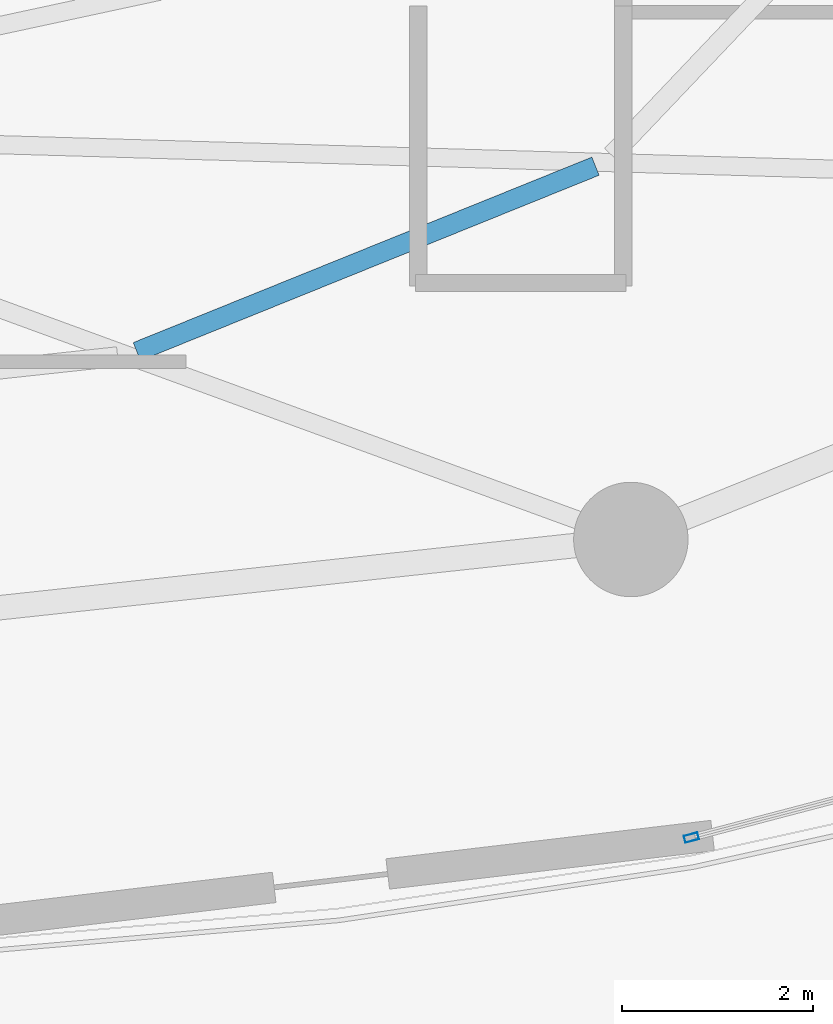
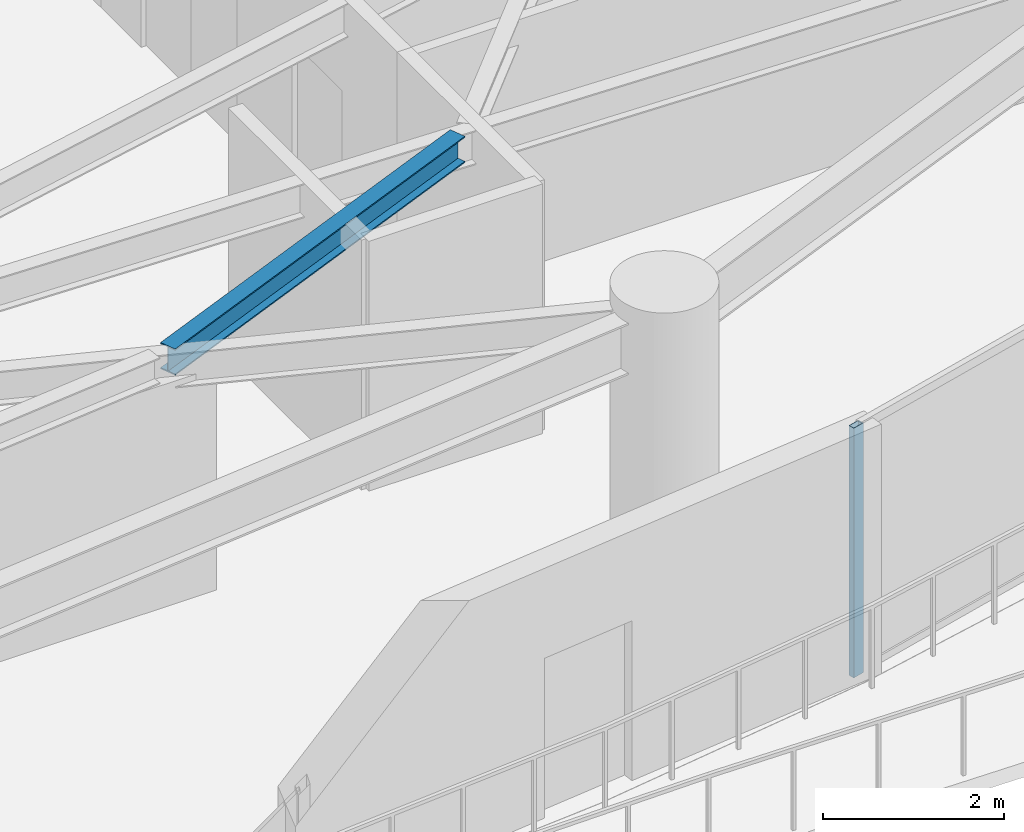
# One storey, part 12 of 34: 1 beam, 1 member, 1 element without a shape of its own.
"""IFC4 building model written with IfcOpenShell, lengths in metres."""

from ifc_helpers import new_model, si_unit, direction, frame, origin, origin_2d, place, context, subcontext, project, spatial, hollow_rectangle, i_section, extrude, material, layer, layer_set, material_profile, profile_set, type_object, element, aggregate, save


model = new_model("IFC4")

# Units and contexts
model_context = context("Model", 3, precision=1e-05, world=origin(), true_north=direction((0.0, 1.0)))
body_context = subcontext(model_context, "Body", "Model", "MODEL_VIEW")
ifc_project = project(units=[si_unit("LENGTHUNIT", "METRE"), si_unit("AREAUNIT", "SQUARE_METRE"), si_unit("VOLUMEUNIT", "CUBIC_METRE"), si_unit("PLANEANGLEUNIT", "RADIAN"), si_unit("MASSUNIT", "GRAM", prefix="KILO")], contexts=[model_context])

# Site, building, storey
site_placement = place(None, origin())
site = spatial("IfcSite", under=ifc_project, at=site_placement, CompositionType="ELEMENT")
building_placement = place(site_placement, origin())
building = spatial("IfcBuilding", under=site, at=building_placement, Name="Kazevale Care Tower and Concert Hall", CompositionType="ELEMENT")
storey_placement = place(building_placement, frame((0.0, 0.0, 171.0)))
storey = spatial("IfcBuildingStorey", under=building, at=storey_placement, Name="L45", CompositionType="ELEMENT", Elevation=171.0)

# Curtain wall, member
ifc_material_1 = material(Name="Aluminium 6063-T6 and Low-E Glass", Category="aluminium")
ifc_layer = layer(ifc_material_1, 0.179931640625)
ifc_layer_set = layer_set([ifc_layer], Name="Aluminium 6063-T6 and Low-E Glass")
curtain_wall_type = type_object("IfcCurtainWallType", Name="Sheltered Concave Balcony Curtain Wall CW-5", PredefinedType="NOTDEFINED", material=ifc_layer_set)
curtain_wall_placement = place(storey_placement, origin())
curtain_wall = element("IfcCurtainWall", 1, at=curtain_wall_placement, inside=storey, type_object=curtain_wall_type, Name="cw:L45:f04", PredefinedType="NOTDEFINED")
ifc_material_2 = material(Name="Aluminium 6063-T6", Category="aluminium")
ifc_material_profile_1 = material_profile(ifc_material_2, hollow_rectangle(XDim=0.074951171875, YDim=0.14990234375, WallThickness=0.00390625, at=origin_2d()), Name="ALU75x150x4")
ifc_profile_set_1 = profile_set([ifc_material_profile_1], Name="Aluminium 6063-T6")
member_type = type_object("IfcMemberType", Name="CW-5 Mullion ALU75x150x4", PredefinedType="MULLION", material=ifc_profile_set_1)
member_placement = place(storey_placement, frame((56.365234375, 16.18359375, 0.0), z_axis=(0.0, 0.0, 1.0), x_axis=(0.254238458229, -0.967141564797, 0.0)))
member = element("IfcMember", 2, at=member_placement, type_object=member_type, Name="CW-5 mullion 2", PredefinedType="MULLION", context=body_context, shape_type="SweptSolid", body=[
    extrude(hollow_rectangle(XDim=0.074951171875, YDim=0.14990234375, WallThickness=0.00390625, at=origin_2d()), origin(), (0.0, 0.0, 1.0), 3.360107421875),
])
aggregate(curtain_wall, [member])

# Beam
ifc_material_3 = material(Name="Steel ASTM A572 Gr 50", Category="steel")
ifc_material_profile_2 = material_profile(ifc_material_3, i_section(OverallWidth=0.205078125, OverallDepth=0.35400390625, WebThickness=0.009521484375, FlangeThickness=0.016845703125, at=origin_2d()), Name="W360x79")
ifc_profile_set_2 = profile_set([ifc_material_profile_2], Name="Steel ASTM A572 Gr 50")
beam_type = type_object("IfcBeamType", Name="Secondary Floor Joist W360x79", PredefinedType="JOIST", material=ifc_profile_set_2)
beam_placement = place(storey_placement, frame((50.549072265625, 21.280029296875, 3.18310546875), z_axis=(0.927064833216, 0.374901046964, 0.0), x_axis=(-0.374901046964, 0.927064833216, 0.0)))
element("IfcBeam", 3, at=beam_placement, inside=storey, type_object=beam_type, Name="beam:L45:joist:14", PredefinedType="JOIST", context=body_context, shape_type="SweptSolid", body=[
    extrude(i_section(OverallWidth=0.205078125, OverallDepth=0.35400390625, WebThickness=0.009521484375, FlangeThickness=0.016845703125, at=origin_2d()), origin(), (0.0, 0.0, 1.0), 5.188232421875),
])

save(model, "model.ifc")
